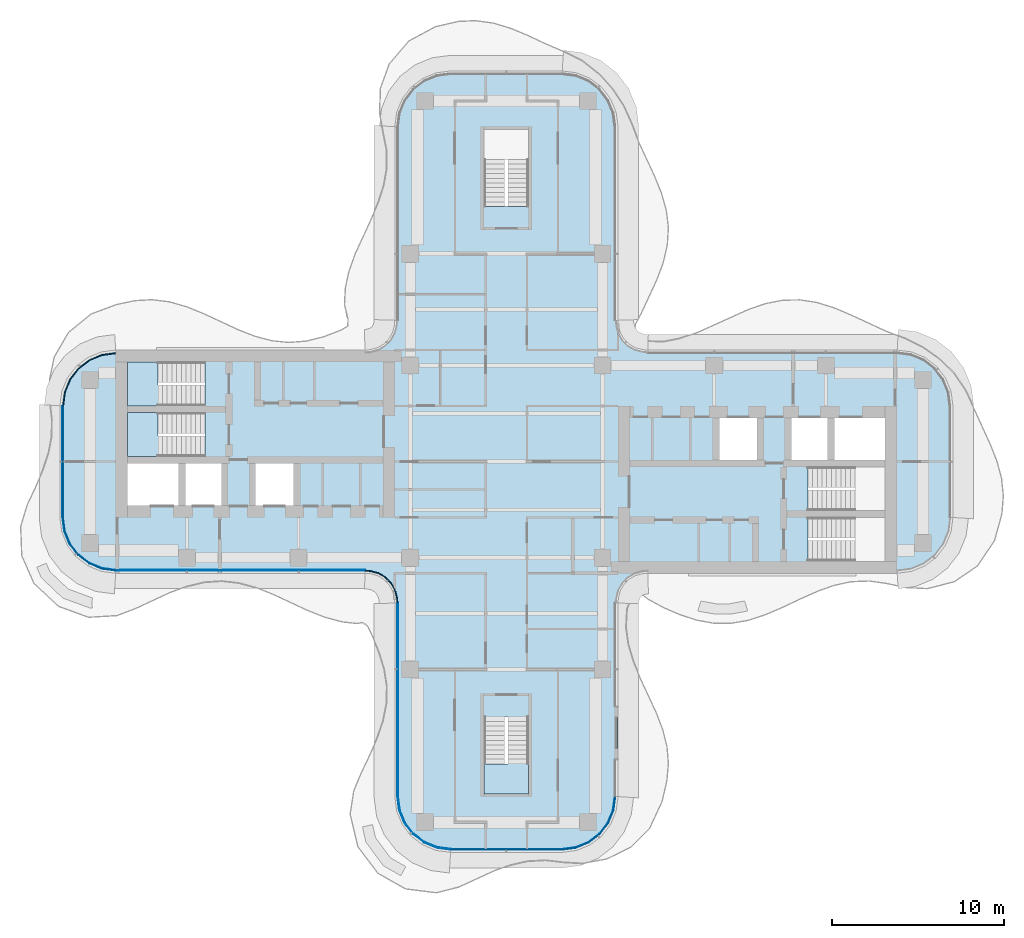
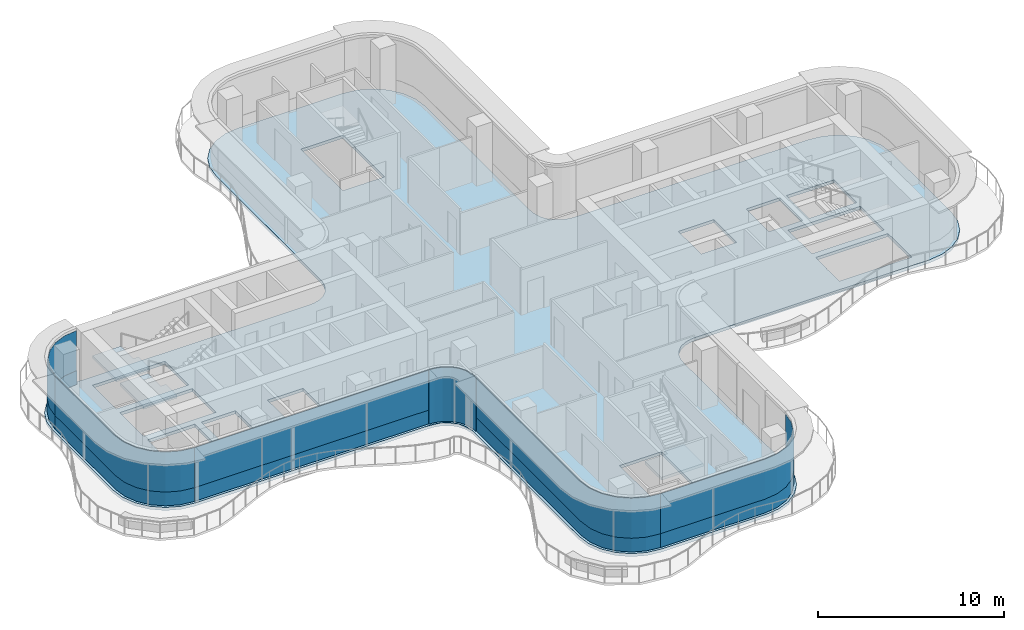
# One storey, part 8 of 16: 11 plates, 4 slabs, 9 elements without a shape of their own.
"""IFC4 building model written with IfcOpenShell, lengths in metres."""

import ifcopenshell
import ifcopenshell.guid

model = None  # the IFC model being written
_history = None  # IfcOwnerHistory: only IFC2X3 demands one
_inside = {}  # id of a spatial element -> (the spatial element, [elements in it])
_under = {}  # id of a project, library or spatial element -> (it, [spatial elements below it])
_declared = {}  # id of a project -> (the project, [libraries it declares])
_typed = {}  # id of a type object -> (the type object, [elements of that type])
_made_of = {}  # id of a material, layer set ... -> (it, [elements and type objects made of it])


def new_model(schema):
    """Start an empty IFC model of exactly this schema.

    Asked for "IFC4X3", IfcOpenShell would pick the latest addendum, in which some entities
    have other attributes; the version numbers below select the first issue.
    IFC2X3 requires an IfcOwnerHistory on every rooted entity: one is made here for all.
    """
    global model, _history
    if schema == "IFC4X3":
        model = ifcopenshell.file(schema_version=(4, 3, 0, 0))
    else:
        model = ifcopenshell.file(schema=schema)
    _inside.clear()
    _under.clear()
    _declared.clear()
    _typed.clear()
    _made_of.clear()
    _history = None
    if model.schema == "IFC2X3":
        org = make("IfcOrganization", Name="unknown")
        user = make(
            "IfcPersonAndOrganization",
            ThePerson=make("IfcPerson", FamilyName="unknown"),
            TheOrganization=org,
        )
        app = make(
            "IfcApplication",
            ApplicationDeveloper=org,
            Version="unknown",
            ApplicationFullName="unknown",
            ApplicationIdentifier="unknown",
        )
        _history = make(
            "IfcOwnerHistory",
            OwningUser=user,
            OwningApplication=app,
            ChangeAction="ADDED",
            CreationDate=0,
        )
    return model


def make(cls, **values):
    """One entity of the class cls with the attributes given. An attribute that is None is left unset."""
    return model.create_entity(
        cls, **{name: value for name, value in values.items() if value is not None}
    )


def rooted(cls, **values):
    """An entity with a GlobalId (a new one), such as an element, a storey or a relation."""
    return make(cls, GlobalId=ifcopenshell.guid.new(), OwnerHistory=_history, **values)


def si_unit(unit_type, name, prefix=None):
    """IfcSIUnit, for example si_unit("LENGTHUNIT", "METRE", prefix="MILLI")."""
    return make("IfcSIUnit", UnitType=unit_type, Prefix=prefix, Name=name)


def assignment(units):
    """IfcUnitAssignment: the units of a project."""
    return None if units is None else make("IfcUnitAssignment", Units=units)


def point(xyz):
    """IfcCartesianPoint."""
    return None if xyz is None else make("IfcCartesianPoint", Coordinates=xyz)


def direction(xyz):
    """IfcDirection."""
    return None if xyz is None else make("IfcDirection", DirectionRatios=xyz)


def frame(location, z_axis=None, x_axis=None):
    """IfcAxis2Placement3D, a coordinate frame: its origin and axes. An axis left out is left unset."""
    return make(
        "IfcAxis2Placement3D",
        Location=point(location),
        Axis=direction(z_axis),
        RefDirection=direction(x_axis),
    )


def origin():
    """The frame at (0, 0, 0) with its axes left unset."""
    return frame((0.0, 0.0, 0.0))


def place(relative_to, where):
    """IfcLocalPlacement: puts the frame where relative to a parent placement (None: the world)."""
    return make(
        "IfcLocalPlacement", PlacementRelTo=relative_to, RelativePlacement=where
    )


def context(
    kind, dimensions, precision=None, world=None, true_north=None, identifier=None
):
    """IfcGeometricRepresentationContext, for example the 3D "Model" context."""
    return make(
        "IfcGeometricRepresentationContext",
        ContextIdentifier=identifier,
        ContextType=kind,
        CoordinateSpaceDimension=dimensions,
        Precision=precision,
        WorldCoordinateSystem=world,
        TrueNorth=true_north,
    )


def subcontext(parent, identifier, kind, view, scale=None):
    """IfcGeometricRepresentationSubContext, for example "Body" below "Model"."""
    return make(
        "IfcGeometricRepresentationSubContext",
        ContextIdentifier=identifier,
        ContextType=kind,
        ParentContext=parent,
        TargetScale=scale,
        TargetView=view,
    )


def project(units=None, contexts=None):
    """IfcProject with its units and contexts."""
    return rooted(
        "IfcProject",
        Name="project",
        RepresentationContexts=contexts,
        UnitsInContext=assignment(units),
    )


def spatial(cls, under=None, at=None, **own):
    """A site, building, storey or space (cls), placed at a placement, below another one or the project."""
    s = rooted(cls, ObjectPlacement=at, **own)
    if under is not None:
        _under.setdefault(under.id(), (under, []))[1].append(s)
    return s


def polyline(points):
    """IfcPolyline through the points."""
    return make("IfcPolyline", Points=[point(p) for p in points])


def outline(outer, holes=None, kind="AREA"):
    """IfcArbitraryClosedProfileDef: a profile drawn as a closed curve; with holes, ...WithVoids."""
    if holes is None:
        return make("IfcArbitraryClosedProfileDef", ProfileType=kind, OuterCurve=outer)
    return make(
        "IfcArbitraryProfileDefWithVoids",
        ProfileType=kind,
        OuterCurve=outer,
        InnerCurves=holes,
    )


def extrude(swept, where, along, depth):
    """IfcExtrudedAreaSolid: the profile swept, set in the frame where, extruded along a direction by depth."""
    return make(
        "IfcExtrudedAreaSolid",
        SweptArea=swept,
        Position=where,
        ExtrudedDirection=direction(along),
        Depth=depth,
    )


def shape(context_of_items, identifier, shape_type, items):
    """IfcShapeRepresentation: the items that make up one representation, for example the "Body"."""
    return make(
        "IfcShapeRepresentation",
        ContextOfItems=context_of_items,
        RepresentationIdentifier=identifier,
        RepresentationType=shape_type,
        Items=items,
    )


def source(mapping_origin, context_of_items, identifier, shape_type, items):
    """IfcRepresentationMap: a shape defined once, which mapped items show again and again."""
    return make(
        "IfcRepresentationMap",
        MappingOrigin=mapping_origin,
        MappedRepresentation=shape(context_of_items, identifier, shape_type, items),
    )


def transform(
    local_origin,
    x_axis=None,
    y_axis=None,
    z_axis=None,
    scale=None,
    scale2=None,
    scale3=None,
    uniform=True,
):
    """IfcCartesianTransformationOperator3D, or its non-uniform kind. x_axis, y_axis, z_axis: its Axis1, 2, 3."""
    if uniform:
        return make(
            "IfcCartesianTransformationOperator3D",
            Axis1=direction(x_axis),
            Axis2=direction(y_axis),
            LocalOrigin=point(local_origin),
            Scale=scale,
            Axis3=direction(z_axis),
        )
    return make(
        "IfcCartesianTransformationOperator3DnonUniform",
        Axis1=direction(x_axis),
        Axis2=direction(y_axis),
        LocalOrigin=point(local_origin),
        Scale=scale,
        Axis3=direction(z_axis),
        Scale2=scale2,
        Scale3=scale3,
    )


def mapped(mapping_source, mapping_target):
    """IfcMappedItem: shows the shape of a source again, moved by a transform."""
    return make(
        "IfcMappedItem", MappingSource=mapping_source, MappingTarget=mapping_target
    )


def material(Name=None, Category=None):
    """IfcMaterial."""
    return make("IfcMaterial", Name=Name, Category=Category)


def layer(
    of_material, thickness, ventilated=None, Name=None, Category=None, Priority=None
):
    """IfcMaterialLayer: one layer of a wall or slab, of a material (None: an air gap)."""
    return make(
        "IfcMaterialLayer",
        Material=of_material,
        LayerThickness=thickness,
        IsVentilated=ventilated,
        Name=Name,
        Category=Category,
        Priority=Priority,
    )


def layer_set(layers, Name=None):
    """IfcMaterialLayerSet."""
    return make("IfcMaterialLayerSet", MaterialLayers=layers, LayerSetName=Name)


def made_of(thing, what):
    """Note that an element or type object is made of a material, layer set ...; save() writes the relation."""
    if what is not None:
        _made_of.setdefault(what.id(), (what, []))[1].append(thing)
    return thing


def type_object(cls, material=None, **own):
    """A type object (cls), such as IfcWallType, which elements share."""
    return made_of(rooted(cls, **own), material)


def element(
    cls,
    number,
    at=None,
    inside=None,
    cuts=None,
    type_object=None,
    material=None,
    context=None,
    identifier="Body",
    shape_type=None,
    held_by="IfcProductDefinitionShape",
    body=None,
    shapes=None,
    **own,
):
    """One element of the class cls, such as IfcWall. Its Tag is "e" and its number.

    at: its placement. inside: the storey or other place that contains it. cuts: it is an
    opening in that element (IfcRelVoidsElement). A single representation is given by context,
    identifier, shape_type and body (its items); several are given by shapes. held_by: the class
    of the entity that holds the representations. save() writes the other relations.
    """
    e = rooted(cls, Tag="e%d" % number, ObjectPlacement=at, **own)
    if body is not None:
        shapes = [shape(context, identifier, shape_type, body)]
    if shapes is not None:
        e.Representation = make(held_by, Representations=shapes)
    if inside is not None:
        _inside.setdefault(inside.id(), (inside, []))[1].append(e)
    if cuts is not None:
        rooted(
            "IfcRelVoidsElement", RelatingBuildingElement=cuts, RelatedOpeningElement=e
        )
    if type_object is not None:
        _typed.setdefault(type_object.id(), (type_object, []))[1].append(e)
    return made_of(e, material)


def aggregate(whole, parts):
    """IfcRelAggregates: a whole, such as a stair, and the parts it consists of."""
    return rooted("IfcRelAggregates", RelatingObject=whole, RelatedObjects=parts)


def save(model, path):
    """Write the relations noted so far, then the file.

    IfcRelAggregates (storeys below a building ...), IfcRelContainedInSpatialStructure (elements
    in a storey), IfcRelDefinesByType, IfcRelAssociatesMaterial and IfcRelDeclares: one each for
    every whole, place, type object, material and project.
    """
    for whole, parts in _under.values():
        aggregate(whole, parts)
    for where, things in _inside.values():
        rooted(
            "IfcRelContainedInSpatialStructure",
            RelatedElements=things,
            RelatingStructure=where,
        )
    for kind, things in _typed.values():
        rooted("IfcRelDefinesByType", RelatedObjects=things, RelatingType=kind)
    for what, things in _made_of.values():
        rooted("IfcRelAssociatesMaterial", RelatedObjects=things, RelatingMaterial=what)
    for by, libraries in _declared.values():
        rooted("IfcRelDeclares", RelatingContext=by, RelatedDefinitions=libraries)
    model.write(path)


model = new_model("IFC4")

# Units and contexts
model_context = context("Model", 3, precision=1e-05, world=origin(), true_north=direction((0.0, 1.0)))
body_context = subcontext(model_context, "Body", "Model", "MODEL_VIEW")
ifc_project = project(units=[si_unit("LENGTHUNIT", "METRE"), si_unit("AREAUNIT", "SQUARE_METRE"), si_unit("VOLUMEUNIT", "CUBIC_METRE"), si_unit("PLANEANGLEUNIT", "RADIAN"), si_unit("MASSUNIT", "GRAM", prefix="KILO")], contexts=[model_context])

# Site, building, storey
site_placement = place(None, origin())
site = spatial("IfcSite", under=ifc_project, at=site_placement, CompositionType="ELEMENT")
building_placement = place(site_placement, origin())
building = spatial("IfcBuilding", under=site, at=building_placement, Name="Trellis Farm Tower", CompositionType="ELEMENT")
storey_placement = place(building_placement, frame((0.0, 0.0, 291.10009765625)))
storey = spatial("IfcBuildingStorey", under=building, at=storey_placement, Name="L65", CompositionType="ELEMENT", Elevation=291.10009765625)

# Slab
ifc_material_1 = material(Name="Concrete C40/50", Category="concrete")
ifc_layer_1 = layer(ifc_material_1, 0.199951171875)
ifc_layer_set_1 = layer_set([ifc_layer_1], Name="Composite deck floor slab 200")
slab_type_1 = type_object("IfcSlabType", Name="Composite deck floor slab 200", PredefinedType="FLOOR", material=ifc_layer_set_1)
slab_1_placement = place(storey_placement, frame((0.0, 0.0, -0.2001953125)))
element("IfcSlab", 1, at=slab_1_placement, inside=storey, type_object=slab_type_1, Name="Floor slab", PredefinedType="FLOOR", context=body_context, shape_type="SweptSolid", body=[
    extrude(outline(polyline([(-23.59130859375, -6.389404296875), (-24.375, -6.064697265625), (-25.048095703125, -5.548095703125), (-25.564697265625, -4.875), (-25.889404296875, -4.09130859375), (-26.0, -3.25), (-26.0, 3.25), (-25.889404296875, 4.09130859375), (-25.564697265625, 4.875), (-25.048095703125, 5.548095703125), (-24.375, 6.064697265625), (-23.59130859375, 6.389404296875), (-22.75, 6.5), (-8.2314453125, 6.5), (-8.01953125, 6.513916015625), (-7.91552734375, 6.527587890625), (-7.508544921875, 6.63671875), (-7.144287109375, 6.846923828125), (-6.846923828125, 7.144287109375), (-6.63671875, 7.508544921875), (-6.527587890625, 7.91552734375), (-6.513916015625, 8.01953125), (-6.5, 8.2314453125), (-6.5, 19.5), (-6.389404296875, 20.34130859375), (-6.064697265625, 21.125), (-5.548095703125, 21.798095703125), (-4.875, 22.314697265625), (-4.09130859375, 22.639404296875), (-3.25, 22.75), (3.25, 22.75), (4.09130859375, 22.639404296875), (4.875, 22.314697265625), (5.548095703125, 21.798095703125), (6.064697265625, 21.125), (6.389404296875, 20.34130859375), (6.5, 19.5), (6.5, 8.2314453125), (6.513916015625, 8.01953125), (6.527587890625, 7.91552734375), (6.63671875, 7.508544921875), (6.846923828125, 7.144287109375), (7.144287109375, 6.846923828125), (7.508544921875, 6.63671875), (7.91552734375, 6.527587890625), (8.01953125, 6.513916015625), (8.2314453125, 6.5), (22.75, 6.5), (23.59130859375, 6.389404296875), (24.375, 6.064697265625), (25.048095703125, 5.548095703125), (25.564697265625, 4.875), (25.889404296875, 4.09130859375), (26.0, 3.25), (26.0, -3.25), (25.889404296875, -4.09130859375), (25.564697265625, -4.875), (25.048095703125, -5.548095703125), (24.375, -6.064697265625), (23.59130859375, -6.389404296875), (22.75, -6.5), (8.2314453125, -6.5), (8.01953125, -6.513916015625), (7.91552734375, -6.527587890625), (7.508544921875, -6.63671875), (7.144287109375, -6.846923828125), (6.846923828125, -7.144287109375), (6.63671875, -7.508544921875), (6.527587890625, -7.91552734375), (6.513916015625, -8.01953125), (6.5, -8.2314453125), (6.5, -19.5), (6.389404296875, -20.34130859375), (6.064697265625, -21.125), (5.548095703125, -21.798095703125), (4.875, -22.314697265625), (4.09130859375, -22.639404296875), (3.25, -22.75), (-3.25, -22.75), (-4.09130859375, -22.639404296875), (-4.875, -22.314697265625), (-5.548095703125, -21.798095703125), (-6.064697265625, -21.125), (-6.389404296875, -20.34130859375), (-6.5, -19.5), (-6.5, -8.2314453125), (-6.513916015625, -8.01953125), (-6.527587890625, -7.91552734375), (-6.63671875, -7.508544921875), (-6.846923828125, -7.144287109375), (-7.144287109375, -6.846923828125), (-7.508544921875, -6.63671875), (-7.91552734375, -6.527587890625), (-8.01953125, -6.513916015625), (-8.2314453125, -6.5), (-22.75, -6.5), (-23.59130859375, -6.389404296875)]), holes=[polyline([(-22.050048828125, -2.550048828125), (-19.10009765625, -2.550048828125), (-19.10009765625, -0.10009765625), (-22.050048828125, -0.10009765625), (-22.050048828125, -2.550048828125)]), polyline([(-18.699951171875, -0.10009765625), (-18.699951171875, -2.550048828125), (-16.60009765625, -2.550048828125), (-16.60009765625, -0.10009765625), (-18.699951171875, -0.10009765625)]), polyline([(-14.60009765625, -0.10009765625), (-14.60009765625, -2.550048828125), (-12.39990234375, -2.550048828125), (-12.39990234375, -0.10009765625), (-14.60009765625, -0.10009765625)]), polyline([(-17.56201171875, 2.85009765625), (-22.050048828125, 2.85009765625), (-22.050048828125, 0.300048828125), (-17.56005859375, 0.300048828125), (-17.56005859375, 1.5), (-17.550048828125, 1.5), (-17.550048828125, 1.64990234375), (-17.56201171875, 1.64990234375), (-17.56201171875, 2.85009765625)]), polyline([(-17.56201171875, 4.60009765625), (-17.56201171875, 5.800048828125), (-22.050048828125, 5.800048828125), (-22.050048828125, 3.25), (-17.56005859375, 3.25), (-17.56005859375, 4.449951171875), (-17.550048828125, 4.449951171875), (-17.550048828125, 4.60009765625), (-17.56201171875, 4.60009765625)]), polyline([(0.10009765625, 14.862060546875), (1.300048828125, 14.862060546875), (1.300048828125, 19.35009765625), (-1.300048828125, 19.35009765625), (-1.300048828125, 14.860107421875), (-0.10009765625, 14.860107421875), (-0.10009765625, 14.85009765625), (0.10009765625, 14.85009765625), (0.10009765625, 14.862060546875)]), polyline([(-1.300048828125, -14.862060546875), (-1.300048828125, -19.35009765625), (1.300048828125, -19.35009765625), (1.300048828125, -14.860107421875), (0.10009765625, -14.860107421875), (0.10009765625, -14.85009765625), (-0.10009765625, -14.85009765625), (-0.10009765625, -14.862060546875), (-1.300048828125, -14.862060546875)]), polyline([(17.56201171875, -4.60009765625), (17.56201171875, -5.800048828125), (22.050048828125, -5.800048828125), (22.050048828125, -3.25), (17.56005859375, -3.25), (17.56005859375, -4.449951171875), (17.550048828125, -4.449951171875), (17.550048828125, -4.60009765625), (17.56201171875, -4.60009765625)]), polyline([(17.56201171875, -1.64990234375), (17.56201171875, -2.85009765625), (22.050048828125, -2.85009765625), (22.050048828125, -0.300048828125), (17.56005859375, -0.300048828125), (17.56005859375, -1.5), (17.550048828125, -1.5), (17.550048828125, -1.64990234375), (17.56201171875, -1.64990234375)]), polyline([(14.60009765625, 2.550048828125), (12.39990234375, 2.550048828125), (12.39990234375, 0.10009765625), (14.60009765625, 0.10009765625), (14.60009765625, 2.550048828125)]), polyline([(18.699951171875, 0.10009765625), (18.699951171875, 2.550048828125), (16.60009765625, 2.550048828125), (16.60009765625, 0.10009765625), (18.699951171875, 0.10009765625)]), polyline([(22.050048828125, 0.10009765625), (22.050048828125, 2.550048828125), (19.10009765625, 2.550048828125), (19.10009765625, 0.10009765625), (22.050048828125, 0.10009765625)])]), origin(), (0.0, 0.0, 1.0), 0.2001953125),
])

# Stair, slab
ifc_material_2 = material(Name="Concrete C50/60", Category="concrete")
stair_type = type_object("IfcStairType", Name="CORE EXIT STAIR 22 RISERS 177 MM", PredefinedType="HALF_TURN_STAIR", material=ifc_material_2)
placement_1 = place(storey_placement, origin())
stair_1 = element("IfcStair", 2, at=placement_1, inside=storey, type_object=stair_type, Name="Exit stair S", PredefinedType="HALF_TURN_STAIR")
ifc_layer_2 = layer(ifc_material_2, 0.18994140625)
ifc_layer_set_2 = layer_set([ifc_layer_2], Name="CORE STAIR LANDING 190 CONCRETE C50/60")
slab_type_2 = type_object("IfcSlabType", Name="CORE STAIR LANDING 190 CONCRETE C50/60", PredefinedType="LANDING", material=ifc_layer_set_2)
shared_shape_1 = source(origin(), body_context, "Body", "SweptSolid", [
    extrude(outline(polyline([(1.300048828125, -19.35009765625), (-1.300048828125, -19.35009765625), (-1.300048828125, -17.60009765625), (-1.300048828125, -17.590087890625), (-0.10009765625, -17.590087890625), (-0.10009765625, -17.60009765625), (0.10009765625, -17.60009765625), (0.10009765625, -17.27197265625), (1.300048828125, -17.27197265625), (1.300048828125, -17.60009765625), (1.300048828125, -19.35009765625)])), origin(), (0.0, 0.0, 1.0), 0.18994140625),
])
placement_2 = place(storey_placement, frame((0.0, 0.0, 1.760009765625)))
slab_2 = element("IfcSlab", 3, at=placement_2, type_object=slab_type_2, Name="STS landing 1", PredefinedType="LANDING", context=body_context, shape_type="MappedRepresentation", body=[
    mapped(shared_shape_1, transform((0.0, 0.0, 0.0))),
])
aggregate(stair_1, [slab_2])

stair_2 = element("IfcStair", 4, at=placement_1, inside=storey, type_object=stair_type, Name="Exit stair W1", PredefinedType="HALF_TURN_STAIR")
shared_shape_2 = source(origin(), body_context, "Body", "SweptSolid", [
    extrude(outline(polyline([(-19.971923828125, 4.449951171875), (-19.971923828125, 3.25), (-20.300048828125, 3.25), (-22.050048828125, 3.25), (-22.050048828125, 5.800048828125), (-20.300048828125, 5.800048828125), (-20.2900390625, 5.800048828125), (-20.2900390625, 4.60009765625), (-20.300048828125, 4.60009765625), (-20.300048828125, 4.449951171875), (-19.971923828125, 4.449951171875)])), origin(), (0.0, 0.0, 1.0), 0.18994140625),
])
slab_3 = element("IfcSlab", 5, at=placement_2, type_object=slab_type_2, Name="STW1 landing 1", PredefinedType="LANDING", context=body_context, shape_type="MappedRepresentation", body=[
    mapped(shared_shape_2, transform((0.0, 0.0, 0.0))),
])
aggregate(stair_2, [slab_3])

stair_3 = element("IfcStair", 6, at=placement_1, inside=storey, type_object=stair_type, Name="Exit stair W2", PredefinedType="HALF_TURN_STAIR")
shared_shape_3 = source(origin(), body_context, "Body", "SweptSolid", [
    extrude(outline(polyline([(-19.971923828125, 1.5), (-19.971923828125, 0.300048828125), (-20.300048828125, 0.300048828125), (-22.050048828125, 0.300048828125), (-22.050048828125, 2.85009765625), (-20.300048828125, 2.85009765625), (-20.2900390625, 2.85009765625), (-20.2900390625, 1.64990234375), (-20.300048828125, 1.64990234375), (-20.300048828125, 1.5), (-19.971923828125, 1.5)])), origin(), (0.0, 0.0, 1.0), 0.18994140625),
])
slab_4 = element("IfcSlab", 7, at=placement_2, type_object=slab_type_2, Name="STW2 landing 1", PredefinedType="LANDING", context=body_context, shape_type="MappedRepresentation", body=[
    mapped(shared_shape_3, transform((0.0, 0.0, 0.0))),
])
aggregate(stair_3, [slab_4])

# Curtain wall, plate
ifc_material_3 = material(Name="Aluminium and glass curtain wall", Category="aluminium")
ifc_layer_3 = layer(ifc_material_3, 0.166015625)
ifc_layer_set_3 = layer_set([ifc_layer_3], Name="WINTER GARDEN CURTAIN WALL CW3")
curtain_wall_type_1 = type_object("IfcCurtainWallType", Name="WINTER GARDEN CURTAIN WALL CW3", PredefinedType="NOTDEFINED", material=ifc_layer_set_3)
curtain_wall_1 = element("IfcCurtainWall", 8, at=placement_1, inside=storey, type_object=curtain_wall_type_1, Name="CW3 001", PredefinedType="NOTDEFINED")
ifc_material_4 = material(Name="Clear insulated glass", Category="glass")
ifc_layer_4 = layer(ifc_material_4, 0.0458984375)
ifc_layer_set_4 = layer_set([ifc_layer_4], Name="CW3 GLASS PANEL 46")
plate_type_1 = type_object("IfcPlateType", Name="CW3 GLASS PANEL 46", PredefinedType="CURTAIN_PANEL", material=ifc_layer_set_4)
shared_shape_4 = source(origin(), body_context, "Body", "SweptSolid", [
    extrude(outline(polyline([(-8.2275390625, -6.3798828125), (-8.0078125, -6.394287109375), (-7.89208984375, -6.40966796875), (-7.462158203125, -6.52490234375), (-7.070556640625, -6.7509765625), (-6.7509765625, -7.070556640625), (-6.52490234375, -7.462158203125), (-6.40966796875, -7.89208984375), (-6.394287109375, -8.0078125), (-6.3798828125, -8.2275390625), (-6.333984375, -8.22607421875), (-6.3486328125, -8.003173828125), (-6.364501953125, -7.883056640625), (-6.48193359375, -7.4443359375), (-6.714111328125, -7.04248046875), (-7.04248046875, -6.714111328125), (-7.4443359375, -6.48193359375), (-7.883056640625, -6.364501953125), (-8.003173828125, -6.3486328125), (-8.22607421875, -6.333984375), (-8.2275390625, -6.3798828125)])), origin(), (0.0, 0.0, 1.0), 3.5498046875),
])
plate_1 = element("IfcPlate", 9, at=placement_1, type_object=plate_type_1, Name="PL3 001", PredefinedType="CURTAIN_PANEL", context=body_context, shape_type="MappedRepresentation", body=[
    mapped(shared_shape_4, transform((0.0, 0.0, 0.0))),
])
aggregate(curtain_wall_1, [plate_1])

# Curtain wall, plates
ifc_layer_5 = layer(ifc_material_3, 0.18994140625)
ifc_layer_set_5 = layer_set([ifc_layer_5], Name="RIBBON CURTAIN WALL CW1")
curtain_wall_type_2 = type_object("IfcCurtainWallType", Name="RIBBON CURTAIN WALL CW1", PredefinedType="NOTDEFINED", material=ifc_layer_set_5)
curtain_wall_2 = element("IfcCurtainWall", 10, at=placement_1, inside=storey, type_object=curtain_wall_type_2, Name="CW1 002", PredefinedType="NOTDEFINED")
ifc_layer_6 = layer(ifc_material_4, 0.0400390625)
ifc_layer_set_6 = layer_set([ifc_layer_6], Name="CW1 GLASS PANEL 40")
plate_type_2 = type_object("IfcPlateType", Name="CW1 GLASS PANEL 40", PredefinedType="CURTAIN_PANEL", material=ifc_layer_set_6)
shared_shape_5 = source(origin(), body_context, "Body", "SweptSolid", [
    extrude(outline(polyline([(-6.35009765625, -8.2265625), (-6.35009765625, -19.490234375), (-6.2431640625, -20.302001953125), (-5.93359375, -21.04931640625), (-5.441162109375, -21.691162109375), (-4.79931640625, -22.18359375), (-4.052001953125, -22.4931640625), (-3.240234375, -22.60009765625), (-3.237548828125, -22.56005859375), (-4.04150390625, -22.4541015625), (-4.779296875, -22.148681640625), (-5.41259765625, -21.66259765625), (-5.898681640625, -21.029296875), (-6.2041015625, -20.29150390625), (-6.31005859375, -19.487548828125), (-6.31005859375, -8.22509765625), (-6.35009765625, -8.2265625)])), origin(), (0.0, 0.0, 1.0), 2.6201171875),
])
placement_3 = place(storey_placement, frame((0.0, 0.0, 0.89990234375)))
plate_2 = element("IfcPlate", 11, at=placement_3, type_object=plate_type_2, Name="PL1 002", PredefinedType="CURTAIN_PANEL", context=body_context, shape_type="MappedRepresentation", body=[
    mapped(shared_shape_5, transform((0.0, 0.0, 0.0))),
])
ifc_material_5 = material(Name="Sandstone faced insulated panel", Category="masonry")
ifc_layer_7 = layer(ifc_material_5, 0.050048828125)
ifc_layer_set_7 = layer_set([ifc_layer_7], Name="CW1 STONE SPANDREL PANEL 50")
plate_type_3 = type_object("IfcPlateType", Name="CW1 STONE SPANDREL PANEL 50", PredefinedType="CURTAIN_PANEL", material=ifc_layer_set_7)
shared_shape_6 = source(origin(), body_context, "Body", "SweptSolid", [
    extrude(outline(polyline([(-6.35009765625, -8.2265625), (-6.35009765625, -19.490234375), (-6.2431640625, -20.302001953125), (-5.93359375, -21.04931640625), (-5.441162109375, -21.691162109375), (-4.79931640625, -22.18359375), (-4.052001953125, -22.4931640625), (-3.240234375, -22.60009765625), (-3.23681640625, -22.550048828125), (-4.0390625, -22.4443359375), (-4.774169921875, -22.139892578125), (-5.405517578125, -21.655517578125), (-5.889892578125, -21.024169921875), (-6.1943359375, -20.2890625), (-6.300048828125, -19.48681640625), (-6.300048828125, -8.224853515625), (-6.35009765625, -8.2265625)])), origin(), (0.0, 0.0, 1.0), 0.89990234375),
])
plate_3 = element("IfcPlate", 12, at=placement_1, type_object=plate_type_3, Name="PS1 002", PredefinedType="CURTAIN_PANEL", context=body_context, shape_type="MappedRepresentation", body=[
    mapped(shared_shape_6, transform((0.0, 0.0, 0.0))),
])
aggregate(curtain_wall_2, [plate_2, plate_3])

curtain_wall_3 = element("IfcCurtainWall", 13, at=placement_1, inside=storey, type_object=curtain_wall_type_2, Name="CW1 003", PredefinedType="NOTDEFINED")
shared_shape_7 = source(origin(), body_context, "Body", "SweptSolid", [
    extrude(outline(polyline([(-3.240234375, -22.60009765625), (3.240234375, -22.60009765625), (4.052001953125, -22.4931640625), (4.79931640625, -22.18359375), (5.441162109375, -21.691162109375), (5.93359375, -21.04931640625), (6.2431640625, -20.302001953125), (6.35009765625, -19.490234375), (6.31005859375, -19.487548828125), (6.2041015625, -20.29150390625), (5.898681640625, -21.029296875), (5.41259765625, -21.66259765625), (4.779296875, -22.148681640625), (4.04150390625, -22.4541015625), (3.237548828125, -22.56005859375), (-3.237548828125, -22.56005859375), (-3.240234375, -22.60009765625)])), origin(), (0.0, 0.0, 1.0), 2.6201171875),
])
plate_4 = element("IfcPlate", 14, at=placement_3, type_object=plate_type_2, Name="PL1 003", PredefinedType="CURTAIN_PANEL", context=body_context, shape_type="MappedRepresentation", body=[
    mapped(shared_shape_7, transform((0.0, 0.0, 0.0))),
])
shared_shape_8 = source(origin(), body_context, "Body", "SweptSolid", [
    extrude(outline(polyline([(-3.240234375, -22.60009765625), (3.240234375, -22.60009765625), (4.052001953125, -22.4931640625), (4.79931640625, -22.18359375), (5.441162109375, -21.691162109375), (5.93359375, -21.04931640625), (6.2431640625, -20.302001953125), (6.35009765625, -19.490234375), (6.300048828125, -19.48681640625), (6.1943359375, -20.2890625), (5.889892578125, -21.024169921875), (5.405517578125, -21.655517578125), (4.774169921875, -22.139892578125), (4.0390625, -22.4443359375), (3.23681640625, -22.550048828125), (-3.23681640625, -22.550048828125), (-3.240234375, -22.60009765625)])), origin(), (0.0, 0.0, 1.0), 0.89990234375),
])
plate_5 = element("IfcPlate", 15, at=placement_1, type_object=plate_type_3, Name="PS1 003", PredefinedType="CURTAIN_PANEL", context=body_context, shape_type="MappedRepresentation", body=[
    mapped(shared_shape_8, transform((0.0, 0.0, 0.0))),
])
aggregate(curtain_wall_3, [plate_4, plate_5])

curtain_wall_4 = element("IfcCurtainWall", 16, at=placement_1, inside=storey, type_object=curtain_wall_type_2, Name="CW1 001", PredefinedType="NOTDEFINED")
shared_shape_9 = source(origin(), body_context, "Body", "SweptSolid", [
    extrude(outline(polyline([(-22.740234375, -6.35009765625), (-8.2265625, -6.35009765625), (-8.22509765625, -6.31005859375), (-22.737548828125, -6.31005859375), (-22.740234375, -6.35009765625)])), origin(), (0.0, 0.0, 1.0), 2.6201171875),
])
plate_6 = element("IfcPlate", 17, at=placement_3, type_object=plate_type_2, Name="PL1 001", PredefinedType="CURTAIN_PANEL", context=body_context, shape_type="MappedRepresentation", body=[
    mapped(shared_shape_9, transform((0.0, 0.0, 0.0))),
])
shared_shape_10 = source(origin(), body_context, "Body", "SweptSolid", [
    extrude(outline(polyline([(-22.740234375, -6.35009765625), (-8.2265625, -6.35009765625), (-8.224853515625, -6.300048828125), (-22.73681640625, -6.300048828125), (-22.740234375, -6.35009765625)])), origin(), (0.0, 0.0, 1.0), 0.89990234375),
])
plate_7 = element("IfcPlate", 18, at=placement_1, type_object=plate_type_3, Name="PS1 001", PredefinedType="CURTAIN_PANEL", context=body_context, shape_type="MappedRepresentation", body=[
    mapped(shared_shape_10, transform((0.0, 0.0, 0.0))),
])
aggregate(curtain_wall_4, [plate_6, plate_7])

curtain_wall_5 = element("IfcCurtainWall", 19, at=placement_1, inside=storey, type_object=curtain_wall_type_2, Name="CW1 012", PredefinedType="NOTDEFINED")
shared_shape_11 = source(origin(), body_context, "Body", "SweptSolid", [
    extrude(outline(polyline([(-22.740234375, 6.35009765625), (-23.552001953125, 6.2431640625), (-24.29931640625, 5.93359375), (-24.941162109375, 5.441162109375), (-25.43359375, 4.79931640625), (-25.7431640625, 4.052001953125), (-25.85009765625, 3.240234375), (-25.81005859375, 3.237548828125), (-25.7041015625, 4.04150390625), (-25.398681640625, 4.779296875), (-24.91259765625, 5.41259765625), (-24.279296875, 5.898681640625), (-23.54150390625, 6.2041015625), (-22.737548828125, 6.31005859375), (-22.740234375, 6.35009765625)])), origin(), (0.0, 0.0, 1.0), 2.6201171875),
])
plate_8 = element("IfcPlate", 20, at=placement_3, type_object=plate_type_2, Name="PL1 012", PredefinedType="CURTAIN_PANEL", context=body_context, shape_type="MappedRepresentation", body=[
    mapped(shared_shape_11, transform((0.0, 0.0, 0.0))),
])
shared_shape_12 = source(origin(), body_context, "Body", "SweptSolid", [
    extrude(outline(polyline([(-22.740234375, 6.35009765625), (-23.552001953125, 6.2431640625), (-24.29931640625, 5.93359375), (-24.941162109375, 5.441162109375), (-25.43359375, 4.79931640625), (-25.7431640625, 4.052001953125), (-25.85009765625, 3.240234375), (-25.800048828125, 3.23681640625), (-25.6943359375, 4.0390625), (-25.389892578125, 4.774169921875), (-24.905517578125, 5.405517578125), (-24.274169921875, 5.889892578125), (-23.5390625, 6.1943359375), (-22.73681640625, 6.300048828125), (-22.740234375, 6.35009765625)])), origin(), (0.0, 0.0, 1.0), 0.89990234375),
])
plate_9 = element("IfcPlate", 21, at=placement_1, type_object=plate_type_3, Name="PS1 012", PredefinedType="CURTAIN_PANEL", context=body_context, shape_type="MappedRepresentation", body=[
    mapped(shared_shape_12, transform((0.0, 0.0, 0.0))),
])
aggregate(curtain_wall_5, [plate_8, plate_9])

curtain_wall_6 = element("IfcCurtainWall", 22, at=placement_1, inside=storey, type_object=curtain_wall_type_2, Name="CW1 013", PredefinedType="NOTDEFINED")
shared_shape_13 = source(origin(), body_context, "Body", "SweptSolid", [
    extrude(outline(polyline([(-25.85009765625, 3.240234375), (-25.85009765625, -3.240234375), (-25.7431640625, -4.052001953125), (-25.43359375, -4.79931640625), (-24.941162109375, -5.441162109375), (-24.29931640625, -5.93359375), (-23.552001953125, -6.2431640625), (-22.740234375, -6.35009765625), (-22.737548828125, -6.31005859375), (-23.54150390625, -6.2041015625), (-24.279296875, -5.898681640625), (-24.91259765625, -5.41259765625), (-25.398681640625, -4.779296875), (-25.7041015625, -4.04150390625), (-25.81005859375, -3.237548828125), (-25.81005859375, 3.237548828125), (-25.85009765625, 3.240234375)])), origin(), (0.0, 0.0, 1.0), 2.6201171875),
])
plate_10 = element("IfcPlate", 23, at=placement_3, type_object=plate_type_2, Name="PL1 013", PredefinedType="CURTAIN_PANEL", context=body_context, shape_type="MappedRepresentation", body=[
    mapped(shared_shape_13, transform((0.0, 0.0, 0.0))),
])
shared_shape_14 = source(origin(), body_context, "Body", "SweptSolid", [
    extrude(outline(polyline([(-25.85009765625, 3.240234375), (-25.85009765625, -3.240234375), (-25.7431640625, -4.052001953125), (-25.43359375, -4.79931640625), (-24.941162109375, -5.441162109375), (-24.29931640625, -5.93359375), (-23.552001953125, -6.2431640625), (-22.740234375, -6.35009765625), (-22.73681640625, -6.300048828125), (-23.5390625, -6.1943359375), (-24.274169921875, -5.889892578125), (-24.905517578125, -5.405517578125), (-25.389892578125, -4.774169921875), (-25.6943359375, -4.0390625), (-25.800048828125, -3.23681640625), (-25.800048828125, 3.23681640625), (-25.85009765625, 3.240234375)])), origin(), (0.0, 0.0, 1.0), 0.89990234375),
])
plate_11 = element("IfcPlate", 24, at=placement_1, type_object=plate_type_3, Name="PS1 013", PredefinedType="CURTAIN_PANEL", context=body_context, shape_type="MappedRepresentation", body=[
    mapped(shared_shape_14, transform((0.0, 0.0, 0.0))),
])
aggregate(curtain_wall_6, [plate_10, plate_11])

save(model, "model.ifc")
